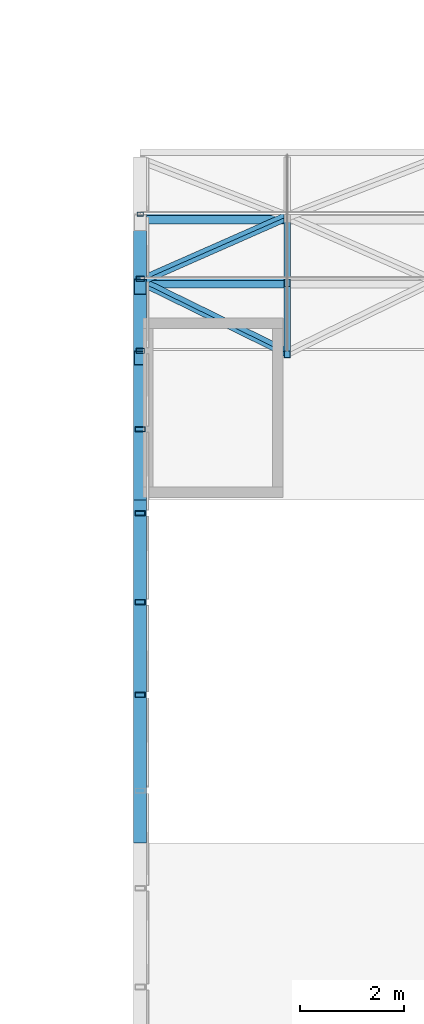
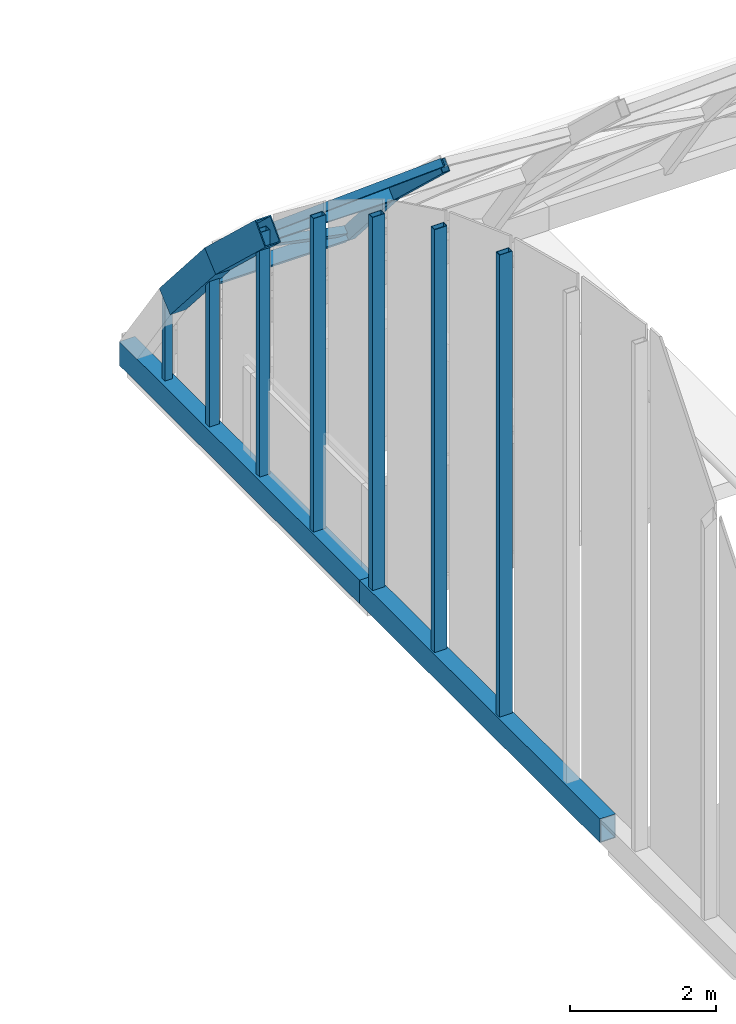
# One storey, part 20 of 109: 15 members, 2 beams.
"""IFC4 building model written with IfcOpenShell, lengths in metres."""

import ifcopenshell
import ifcopenshell.guid

model = None  # the IFC model being written
_history = None  # IfcOwnerHistory: only IFC2X3 demands one
_inside = {}  # id of a spatial element -> (the spatial element, [elements in it])
_under = {}  # id of a project, library or spatial element -> (it, [spatial elements below it])
_declared = {}  # id of a project -> (the project, [libraries it declares])
_typed = {}  # id of a type object -> (the type object, [elements of that type])
_made_of = {}  # id of a material, layer set ... -> (it, [elements and type objects made of it])


def new_model(schema):
    """Start an empty IFC model of exactly this schema.

    Asked for "IFC4X3", IfcOpenShell would pick the latest addendum, in which some entities
    have other attributes; the version numbers below select the first issue.
    IFC2X3 requires an IfcOwnerHistory on every rooted entity: one is made here for all.
    """
    global model, _history
    if schema == "IFC4X3":
        model = ifcopenshell.file(schema_version=(4, 3, 0, 0))
    else:
        model = ifcopenshell.file(schema=schema)
    _inside.clear()
    _under.clear()
    _declared.clear()
    _typed.clear()
    _made_of.clear()
    _history = None
    if model.schema == "IFC2X3":
        org = make("IfcOrganization", Name="unknown")
        user = make(
            "IfcPersonAndOrganization",
            ThePerson=make("IfcPerson", FamilyName="unknown"),
            TheOrganization=org,
        )
        app = make(
            "IfcApplication",
            ApplicationDeveloper=org,
            Version="unknown",
            ApplicationFullName="unknown",
            ApplicationIdentifier="unknown",
        )
        _history = make(
            "IfcOwnerHistory",
            OwningUser=user,
            OwningApplication=app,
            ChangeAction="ADDED",
            CreationDate=0,
        )
    return model


def make(cls, **values):
    """One entity of the class cls with the attributes given. An attribute that is None is left unset."""
    return model.create_entity(
        cls, **{name: value for name, value in values.items() if value is not None}
    )


def rooted(cls, **values):
    """An entity with a GlobalId (a new one), such as an element, a storey or a relation."""
    return make(cls, GlobalId=ifcopenshell.guid.new(), OwnerHistory=_history, **values)


def si_unit(unit_type, name, prefix=None):
    """IfcSIUnit, for example si_unit("LENGTHUNIT", "METRE", prefix="MILLI")."""
    return make("IfcSIUnit", UnitType=unit_type, Prefix=prefix, Name=name)


def assignment(units):
    """IfcUnitAssignment: the units of a project."""
    return None if units is None else make("IfcUnitAssignment", Units=units)


def point(xyz):
    """IfcCartesianPoint."""
    return None if xyz is None else make("IfcCartesianPoint", Coordinates=xyz)


def direction(xyz):
    """IfcDirection."""
    return None if xyz is None else make("IfcDirection", DirectionRatios=xyz)


def frame(location, z_axis=None, x_axis=None):
    """IfcAxis2Placement3D, a coordinate frame: its origin and axes. An axis left out is left unset."""
    return make(
        "IfcAxis2Placement3D",
        Location=point(location),
        Axis=direction(z_axis),
        RefDirection=direction(x_axis),
    )


def frame_2d(location, x_axis=None):
    """IfcAxis2Placement2D, a coordinate frame in the plane: its origin and x axis."""
    return make(
        "IfcAxis2Placement2D", Location=point(location), RefDirection=direction(x_axis)
    )


def origin():
    """The frame at (0, 0, 0) with its axes left unset."""
    return frame((0.0, 0.0, 0.0))


def origin_2d():
    """The frame at (0, 0) in the plane with its x axis left unset."""
    return frame_2d((0.0, 0.0))


def place(relative_to, where):
    """IfcLocalPlacement: puts the frame where relative to a parent placement (None: the world)."""
    return make(
        "IfcLocalPlacement", PlacementRelTo=relative_to, RelativePlacement=where
    )


def context(
    kind, dimensions, precision=None, world=None, true_north=None, identifier=None
):
    """IfcGeometricRepresentationContext, for example the 3D "Model" context."""
    return make(
        "IfcGeometricRepresentationContext",
        ContextIdentifier=identifier,
        ContextType=kind,
        CoordinateSpaceDimension=dimensions,
        Precision=precision,
        WorldCoordinateSystem=world,
        TrueNorth=true_north,
    )


def subcontext(parent, identifier, kind, view, scale=None):
    """IfcGeometricRepresentationSubContext, for example "Body" below "Model"."""
    return make(
        "IfcGeometricRepresentationSubContext",
        ContextIdentifier=identifier,
        ContextType=kind,
        ParentContext=parent,
        TargetScale=scale,
        TargetView=view,
    )


def project(units=None, contexts=None):
    """IfcProject with its units and contexts."""
    return rooted(
        "IfcProject",
        Name="project",
        RepresentationContexts=contexts,
        UnitsInContext=assignment(units),
    )


def spatial(cls, under=None, at=None, **own):
    """A site, building, storey or space (cls), placed at a placement, below another one or the project."""
    s = rooted(cls, ObjectPlacement=at, **own)
    if under is not None:
        _under.setdefault(under.id(), (under, []))[1].append(s)
    return s


def profile(cls, at=None, kind="AREA", **sizes):
    """A parametric profile (cls). Its sizes go by their IFC names, for example OverallWidth=200.0."""
    return make(cls, ProfileType=kind, Position=at, **sizes)


def hollow_rectangle(**sizes):
    """IfcRectangleHollowProfileDef."""
    return profile("IfcRectangleHollowProfileDef", **sizes)


def extrude(swept, where, along, depth):
    """IfcExtrudedAreaSolid: the profile swept, set in the frame where, extruded along a direction by depth."""
    return make(
        "IfcExtrudedAreaSolid",
        SweptArea=swept,
        Position=where,
        ExtrudedDirection=direction(along),
        Depth=depth,
    )


def shape(context_of_items, identifier, shape_type, items):
    """IfcShapeRepresentation: the items that make up one representation, for example the "Body"."""
    return make(
        "IfcShapeRepresentation",
        ContextOfItems=context_of_items,
        RepresentationIdentifier=identifier,
        RepresentationType=shape_type,
        Items=items,
    )


def material(Name=None, Category=None):
    """IfcMaterial."""
    return make("IfcMaterial", Name=Name, Category=Category)


def material_profile(
    of_material, cross_section, Name=None, Category=None, Priority=None
):
    """IfcMaterialProfile: a cross section and its material."""
    return make(
        "IfcMaterialProfile",
        Name=Name,
        Material=of_material,
        Profile=cross_section,
        Priority=Priority,
        Category=Category,
    )


def profile_set(profiles, Name=None, composite=None):
    """IfcMaterialProfileSet."""
    return make(
        "IfcMaterialProfileSet",
        Name=Name,
        MaterialProfiles=profiles,
        CompositeProfile=composite,
    )


def made_of(thing, what):
    """Note that an element or type object is made of a material, layer set ...; save() writes the relation."""
    if what is not None:
        _made_of.setdefault(what.id(), (what, []))[1].append(thing)
    return thing


def type_object(cls, material=None, **own):
    """A type object (cls), such as IfcWallType, which elements share."""
    return made_of(rooted(cls, **own), material)


def element(
    cls,
    number,
    at=None,
    inside=None,
    cuts=None,
    type_object=None,
    material=None,
    context=None,
    identifier="Body",
    shape_type=None,
    held_by="IfcProductDefinitionShape",
    body=None,
    shapes=None,
    **own,
):
    """One element of the class cls, such as IfcWall. Its Tag is "e" and its number.

    at: its placement. inside: the storey or other place that contains it. cuts: it is an
    opening in that element (IfcRelVoidsElement). A single representation is given by context,
    identifier, shape_type and body (its items); several are given by shapes. held_by: the class
    of the entity that holds the representations. save() writes the other relations.
    """
    e = rooted(cls, Tag="e%d" % number, ObjectPlacement=at, **own)
    if body is not None:
        shapes = [shape(context, identifier, shape_type, body)]
    if shapes is not None:
        e.Representation = make(held_by, Representations=shapes)
    if inside is not None:
        _inside.setdefault(inside.id(), (inside, []))[1].append(e)
    if cuts is not None:
        rooted(
            "IfcRelVoidsElement", RelatingBuildingElement=cuts, RelatedOpeningElement=e
        )
    if type_object is not None:
        _typed.setdefault(type_object.id(), (type_object, []))[1].append(e)
    return made_of(e, material)


def aggregate(whole, parts):
    """IfcRelAggregates: a whole, such as a stair, and the parts it consists of."""
    return rooted("IfcRelAggregates", RelatingObject=whole, RelatedObjects=parts)


def save(model, path):
    """Write the relations noted so far, then the file.

    IfcRelAggregates (storeys below a building ...), IfcRelContainedInSpatialStructure (elements
    in a storey), IfcRelDefinesByType, IfcRelAssociatesMaterial and IfcRelDeclares: one each for
    every whole, place, type object, material and project.
    """
    for whole, parts in _under.values():
        aggregate(whole, parts)
    for where, things in _inside.values():
        rooted(
            "IfcRelContainedInSpatialStructure",
            RelatedElements=things,
            RelatingStructure=where,
        )
    for kind, things in _typed.values():
        rooted("IfcRelDefinesByType", RelatedObjects=things, RelatingType=kind)
    for what, things in _made_of.values():
        rooted("IfcRelAssociatesMaterial", RelatedObjects=things, RelatingMaterial=what)
    for by, libraries in _declared.values():
        rooted("IfcRelDeclares", RelatingContext=by, RelatedDefinitions=libraries)
    model.write(path)


model = new_model("IFC4")

# Units and contexts
model_context = context("Model", 3, precision=1e-05, world=origin(), true_north=direction((0.0, 1.0)))
body_context = subcontext(model_context, "Body", "Model", "MODEL_VIEW")
ifc_project = project(units=[si_unit("LENGTHUNIT", "METRE"), si_unit("AREAUNIT", "SQUARE_METRE"), si_unit("VOLUMEUNIT", "CUBIC_METRE"), si_unit("PLANEANGLEUNIT", "RADIAN"), si_unit("MASSUNIT", "GRAM", prefix="KILO")], contexts=[model_context])

# Site, building, storey
site_placement = place(None, origin())
site = spatial("IfcSite", under=ifc_project, at=site_placement, CompositionType="ELEMENT")
building_placement = place(site_placement, origin())
building = spatial("IfcBuilding", under=site, at=building_placement, Name="Lantern Court Research Institute", CompositionType="ELEMENT")
storey_placement = place(building_placement, frame((0.0, 0.0, 14.39990234375)))
storey = spatial("IfcBuildingStorey", under=building, at=storey_placement, Name="L03", CompositionType="ELEMENT", Elevation=14.39990234375)

# Members
ifc_material_1 = material(Name="Structural steel S355", Category="steel")
ifc_material_profile_1 = material_profile(ifc_material_1, hollow_rectangle(XDim=0.25, YDim=0.39990234375, WallThickness=0.01611328125, at=origin_2d()), Name="Gable arch RHS 400 x 250 x 16")
ifc_profile_set_1 = profile_set([ifc_material_profile_1], Name="Structural steel S355")
member_type_1 = type_object("IfcMemberType", Name="Gable arch RHS 400 x 250 x 16", PredefinedType="RAFTER", material=ifc_profile_set_1)
member_1_placement = place(storey_placement, frame((39.60009765625, 52.234375, 4.550048828125), z_axis=(0.0, 0.728151013069, -0.68541673613), x_axis=(-1.0, 0.0, 0.0)))
element("IfcMember", 1, at=member_1_placement, inside=storey, type_object=member_type_1, Name="Gable arch", PredefinedType="RAFTER", context=body_context, shape_type="SweptSolid", body=[
    extrude(hollow_rectangle(XDim=0.25, YDim=0.39990234375, WallThickness=0.01611328125, at=origin_2d()), origin(), (0.0, 0.0, 1.0), 1.90234375),
])
member_2_placement = place(storey_placement, frame((39.60009765625, 53.605712890625, 3.260498046875), z_axis=(0.0, 0.655492193344, -0.755201949458), x_axis=(-1.0, 0.0, 0.0)))
element("IfcMember", 2, at=member_2_placement, inside=storey, type_object=member_type_1, Name="Gable arch", PredefinedType="RAFTER", context=body_context, shape_type="SweptSolid", body=[
    extrude(hollow_rectangle(XDim=0.25, YDim=0.39990234375, WallThickness=0.01611328125, at=origin_2d()), origin(), (0.0, 0.0, 1.0), 1.902587890625),
])
ifc_material_2 = material(Name="Structural steel S355", Category="steel")
ifc_material_profile_2 = material_profile(ifc_material_2, hollow_rectangle(XDim=0.1201171875, YDim=0.080078125, WallThickness=0.0048828125, at=origin_2d()), Name="Gable post RHS 120 x 80 x 5")
ifc_profile_set_2 = profile_set([ifc_material_profile_2], Name="Structural steel S355")
member_type_2 = type_object("IfcMemberType", Name="Gable post RHS 120 x 80 x 5", PredefinedType="POST", material=ifc_profile_set_2)
member_3_placement = place(storey_placement, frame((39.60009765625, 55.003662109375, 0.400146484375), z_axis=(0.0, 0.0, 1.0), x_axis=(1.0, 0.0, 0.0)))
element("IfcMember", 3, at=member_3_placement, inside=storey, type_object=member_type_2, Name="Gable post", PredefinedType="POST", context=body_context, shape_type="SweptSolid", body=[
    extrude(hollow_rectangle(XDim=0.1201171875, YDim=0.080078125, WallThickness=0.0048828125, at=origin_2d()), origin(), (0.0, 0.0, 1.0), 1.354736328125),
])
ifc_material_3 = material(Name="Structural steel S355", Category="steel")
ifc_material_profile_3 = material_profile(ifc_material_3, hollow_rectangle(XDim=0.159912109375, YDim=0.10009765625, WallThickness=0.00634765625, at=origin_2d()), Name="Gable post RHS 160 x 100 x 6.3")
ifc_profile_set_3 = profile_set([ifc_material_profile_3], Name="Structural steel S355")
member_type_3 = type_object("IfcMemberType", Name="Gable post RHS 160 x 100 x 6.3", PredefinedType="POST", material=ifc_profile_set_3)
member_4_placement = place(storey_placement, frame((39.60009765625, 52.37158203125, 0.400146484375), z_axis=(0.0, 0.0, 1.0), x_axis=(1.0, 0.0, 0.0)))
element("IfcMember", 4, at=member_4_placement, inside=storey, type_object=member_type_3, Name="Gable post", PredefinedType="POST", context=body_context, shape_type="SweptSolid", body=[
    extrude(hollow_rectangle(XDim=0.159912109375, YDim=0.10009765625, WallThickness=0.00634765625, at=origin_2d()), origin(), (0.0, 0.0, 1.0), 4.095458984375),
])
member_5_placement = place(storey_placement, frame((39.60009765625, 53.756591796875, 0.400146484375), z_axis=(0.0, 0.0, 1.0), x_axis=(1.0, 0.0, 0.0)))
element("IfcMember", 5, at=member_5_placement, inside=storey, type_object=member_type_3, Name="Gable post", PredefinedType="POST", context=body_context, shape_type="SweptSolid", body=[
    extrude(hollow_rectangle(XDim=0.159912109375, YDim=0.10009765625, WallThickness=0.00634765625, at=origin_2d()), origin(), (0.0, 0.0, 1.0), 2.79150390625),
])
ifc_material_4 = material(Name="Structural steel S355", Category="steel")
ifc_material_profile_4 = material_profile(ifc_material_4, hollow_rectangle(XDim=0.199951171875, YDim=0.10009765625, WallThickness=0.008056640625, at=origin_2d()), Name="Gable post RHS 200 x 100 x 8")
ifc_profile_set_4 = profile_set([ifc_material_profile_4], Name="Structural steel S355")
member_type_4 = type_object("IfcMemberType", Name="Gable post RHS 200 x 100 x 8", PredefinedType="POST", material=ifc_profile_set_4)
member_6_placement = place(storey_placement, frame((39.60009765625, 45.748291015625, 0.400146484375), z_axis=(0.0, 0.0, 1.0), x_axis=(1.0, 0.0, 0.0)))
element("IfcMember", 6, at=member_6_placement, inside=storey, type_object=member_type_4, Name="Gable post", PredefinedType="POST", context=body_context, shape_type="SweptSolid", body=[
    extrude(hollow_rectangle(XDim=0.199951171875, YDim=0.10009765625, WallThickness=0.008056640625, at=origin_2d()), origin(), (0.0, 0.0, 1.0), 7.744140625),
])
member_7_placement = place(storey_placement, frame((39.60009765625, 47.53369140625, 0.400146484375), z_axis=(0.0, 0.0, 1.0), x_axis=(1.0, 0.0, 0.0)))
element("IfcMember", 7, at=member_7_placement, inside=storey, type_object=member_type_4, Name="Gable post", PredefinedType="POST", context=body_context, shape_type="SweptSolid", body=[
    extrude(hollow_rectangle(XDim=0.199951171875, YDim=0.10009765625, WallThickness=0.008056640625, at=origin_2d()), origin(), (0.0, 0.0, 1.0), 7.08740234375),
])
member_8_placement = place(storey_placement, frame((39.60009765625, 49.244140625, 0.400146484375), z_axis=(0.0, 0.0, 1.0), x_axis=(1.0, 0.0, 0.0)))
element("IfcMember", 8, at=member_8_placement, inside=storey, type_object=member_type_4, Name="Gable post", PredefinedType="POST", context=body_context, shape_type="SweptSolid", body=[
    extrude(hollow_rectangle(XDim=0.199951171875, YDim=0.10009765625, WallThickness=0.008056640625, at=origin_2d()), origin(), (0.0, 0.0, 1.0), 6.25439453125),
])
member_9_placement = place(storey_placement, frame((39.60009765625, 50.8623046875, 0.400146484375), z_axis=(0.0, 0.0, 1.0), x_axis=(1.0, 0.0, 0.0)))
element("IfcMember", 9, at=member_9_placement, inside=storey, type_object=member_type_4, Name="Gable post", PredefinedType="POST", context=body_context, shape_type="SweptSolid", body=[
    extrude(hollow_rectangle(XDim=0.199951171875, YDim=0.10009765625, WallThickness=0.008056640625, at=origin_2d()), origin(), (0.0, 0.0, 1.0), 5.253662109375),
])

# Beams
ifc_material_5 = material(Name="Structural steel S355", Category="steel")
ifc_material_profile_5 = material_profile(ifc_material_5, hollow_rectangle(XDim=0.25, YDim=0.39990234375, WallThickness=0.012451171875, at=origin_2d()), Name="Gable sill beam RHS 400 x 250 x 12.5")
ifc_profile_set_5 = profile_set([ifc_material_profile_5], Name="Structural steel S355")
beam_type = type_object("IfcBeamType", Name="Gable sill beam RHS 400 x 250 x 12.5", PredefinedType="BEAM", material=ifc_profile_set_5)
for number, where, z_axis, x_axis, name in (
    (10, (39.60009765625, 42.89990234375, 0.2001953125), (0.0, 1.0, 0.0), (-1.0, 0.0, 0.0), "Sill beam W"),
    (11, (39.60009765625, 49.5, 0.2001953125), (0.0, 1.0, 0.0), (-1.0, 0.0, 0.0), "Sill beam W"),
):
    element("IfcBeam", number, at=place(storey_placement, frame(where, z_axis=z_axis, x_axis=x_axis)), inside=storey, type_object=beam_type, Name=name, PredefinedType="BEAM", context=body_context, shape_type="SweptSolid", body=[
        extrude(hollow_rectangle(XDim=0.25, YDim=0.39990234375, WallThickness=0.012451171875, at=origin_2d()), origin(), (0.0, 0.0, 1.0), 6.60009765625),
    ])

# Members
ifc_material_6 = material(Name="Structural steel S355", Category="steel")
ifc_material_profile_6 = material_profile(ifc_material_6, hollow_rectangle(XDim=0.1201171875, YDim=0.1201171875, WallThickness=0.008056640625, at=origin_2d()), Name="Gridshell haunch diagonal RHS 120 x 120 x 8")
ifc_profile_set_6 = profile_set([ifc_material_profile_6], Name="Structural steel S355")
member_type_5 = type_object("IfcMemberType", Name="Gridshell haunch diagonal RHS 120 x 120 x 8", PredefinedType="BRACE", material=ifc_profile_set_6)
for number, where, z_axis, x_axis, name in (
    (12, (42.428466796875, 52.330322265625, 4.652099609375), (-0.82973937059, 0.406382493632, -0.382604032602), (-0.558151034099, -0.604115905866, 0.568780621518), "Gridshell diagonal"),
    (13, (39.60009765625, 53.71142578125, 3.352294921875), (0.829752886825, 0.365850474398, -0.42150157436), (-0.55813094053, 0.54388935428, -0.62663723439), "Gridshell diagonal"),
):
    element("IfcMember", number, at=place(storey_placement, frame(where, z_axis=z_axis, x_axis=x_axis)), inside=storey, type_object=member_type_5, Name=name, PredefinedType="BRACE", context=body_context, shape_type="SweptSolid", body=[
        extrude(hollow_rectangle(XDim=0.1201171875, YDim=0.1201171875, WallThickness=0.008056640625, at=origin_2d()), origin(), (0.0, 0.0, 1.0), 3.40869140625),
    ])
ifc_material_7 = material(Name="Structural steel S355", Category="steel")
ifc_material_profile_7 = material_profile(ifc_material_7, hollow_rectangle(XDim=0.10009765625, YDim=0.199951171875, WallThickness=0.008056640625, at=origin_2d()), Name="Gridshell purlin RHS 200 x 100 x 8")
ifc_profile_set_7 = profile_set([ifc_material_profile_7], Name="Structural steel S355")
member_type_6 = type_object("IfcMemberType", Name="Gridshell purlin RHS 200 x 100 x 8", PredefinedType="PURLIN", material=ifc_profile_set_7)
for number, where, z_axis, x_axis, name in (
    (14, (39.72509765625, 53.6845703125, 3.322265625), (1.0, 0.0, 0.0), (0.0, 0.692674230917, -0.721250587399), "Gridshell purlin"),
    (15, (39.72509765625, 54.925048828125, 1.893310546875), (1.0, 0.0, 0.0), (0.0, 0.616657332959, -0.787231689979), "Gridshell purlin"),
):
    element("IfcMember", number, at=place(storey_placement, frame(where, z_axis=z_axis, x_axis=x_axis)), inside=storey, type_object=member_type_6, Name=name, PredefinedType="PURLIN", context=body_context, shape_type="SweptSolid", body=[
        extrude(hollow_rectangle(XDim=0.10009765625, YDim=0.199951171875, WallThickness=0.008056640625, at=origin_2d()), origin(), (0.0, 0.0, 1.0), 2.6435546875),
    ])
ifc_material_8 = material(Name="Structural steel S355", Category="steel")
ifc_material_profile_8 = material_profile(ifc_material_8, hollow_rectangle(XDim=0.1201171875, YDim=0.199951171875, WallThickness=0.008056640625, at=origin_2d()), Name="Gridshell secondary rib RHS 200 x 120 x 8")
ifc_profile_set_8 = profile_set([ifc_material_profile_8], Name="Structural steel S355")
member_type_7 = type_object("IfcMemberType", Name="Gridshell secondary rib RHS 200 x 120 x 8", PredefinedType="RAFTER", material=ifc_profile_set_8)
member_10_placement = place(storey_placement, frame((42.428466796875, 52.302978515625, 4.622802734375), z_axis=(0.0, 0.728151013069, -0.68541673613), x_axis=(-1.0, 0.0, 0.0)))
element("IfcMember", 16, at=member_10_placement, inside=storey, type_object=member_type_7, Name="Gridshell secondary rib", PredefinedType="RAFTER", context=body_context, shape_type="SweptSolid", body=[
    extrude(hollow_rectangle(XDim=0.1201171875, YDim=0.199951171875, WallThickness=0.008056640625, at=origin_2d()), origin(), (0.0, 0.0, 1.0), 1.90234375),
])
member_11_placement = place(storey_placement, frame((42.428466796875, 53.68115234375, 3.326171875), z_axis=(0.0, 0.655492193344, -0.755201949458), x_axis=(-1.0, 0.0, 0.0)))
element("IfcMember", 17, at=member_11_placement, inside=storey, type_object=member_type_7, Name="Gridshell secondary rib", PredefinedType="RAFTER", context=body_context, shape_type="SweptSolid", body=[
    extrude(hollow_rectangle(XDim=0.1201171875, YDim=0.199951171875, WallThickness=0.008056640625, at=origin_2d()), origin(), (0.0, 0.0, 1.0), 1.902587890625),
])

save(model, "model.ifc")
